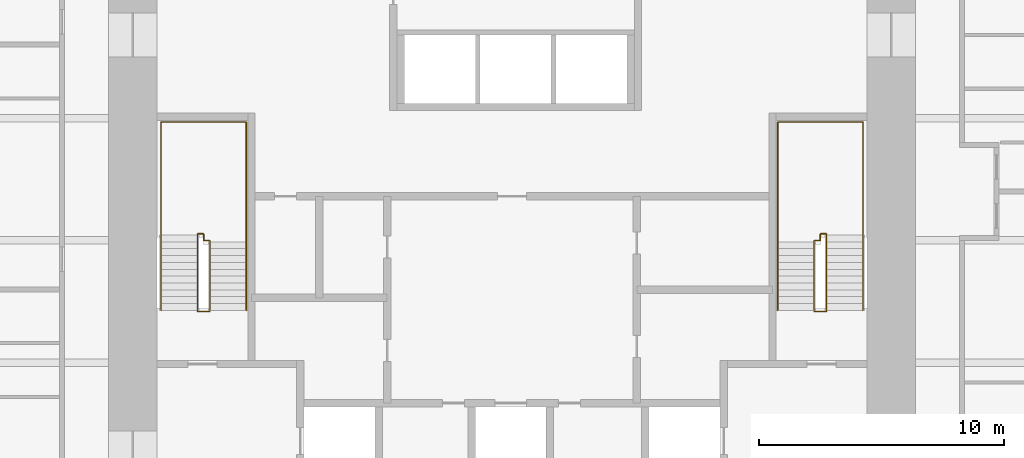
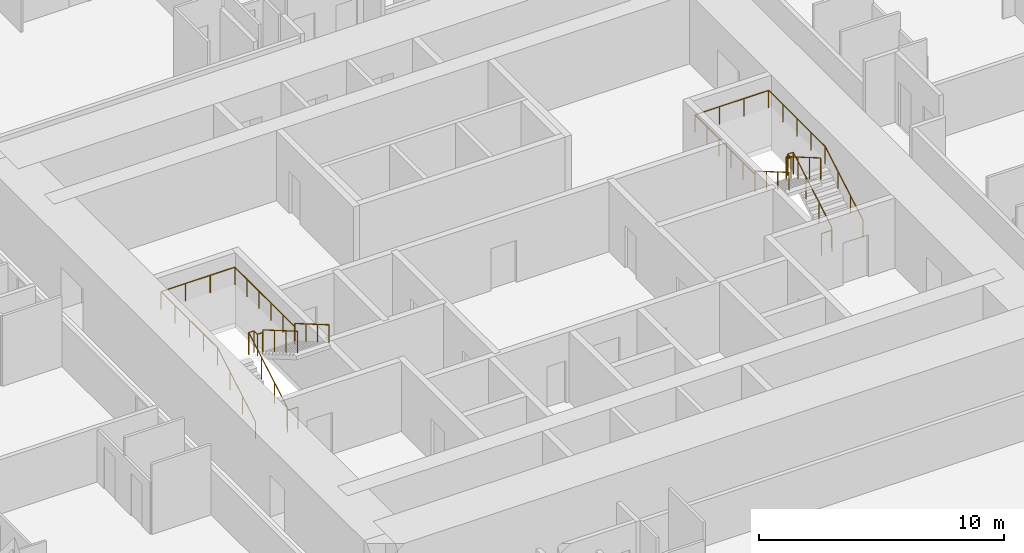
# One storey, part 17 of 17: 4 railings.
"""IFC4 building model written with IfcOpenShell, lengths in metres."""

import ifcopenshell
import ifcopenshell.guid

model = None  # the IFC model being written
_history = None  # IfcOwnerHistory: only IFC2X3 demands one
_inside = {}  # id of a spatial element -> (the spatial element, [elements in it])
_under = {}  # id of a project, library or spatial element -> (it, [spatial elements below it])
_declared = {}  # id of a project -> (the project, [libraries it declares])
_typed = {}  # id of a type object -> (the type object, [elements of that type])
_made_of = {}  # id of a material, layer set ... -> (it, [elements and type objects made of it])


def new_model(schema):
    """Start an empty IFC model of exactly this schema.

    Asked for "IFC4X3", IfcOpenShell would pick the latest addendum, in which some entities
    have other attributes; the version numbers below select the first issue.
    IFC2X3 requires an IfcOwnerHistory on every rooted entity: one is made here for all.
    """
    global model, _history
    if schema == "IFC4X3":
        model = ifcopenshell.file(schema_version=(4, 3, 0, 0))
    else:
        model = ifcopenshell.file(schema=schema)
    _inside.clear()
    _under.clear()
    _declared.clear()
    _typed.clear()
    _made_of.clear()
    _history = None
    if model.schema == "IFC2X3":
        org = make("IfcOrganization", Name="unknown")
        user = make(
            "IfcPersonAndOrganization",
            ThePerson=make("IfcPerson", FamilyName="unknown"),
            TheOrganization=org,
        )
        app = make(
            "IfcApplication",
            ApplicationDeveloper=org,
            Version="unknown",
            ApplicationFullName="unknown",
            ApplicationIdentifier="unknown",
        )
        _history = make(
            "IfcOwnerHistory",
            OwningUser=user,
            OwningApplication=app,
            ChangeAction="ADDED",
            CreationDate=0,
        )
    return model


def make(cls, **values):
    """One entity of the class cls with the attributes given. An attribute that is None is left unset."""
    return model.create_entity(
        cls, **{name: value for name, value in values.items() if value is not None}
    )


def rooted(cls, **values):
    """An entity with a GlobalId (a new one), such as an element, a storey or a relation."""
    return make(cls, GlobalId=ifcopenshell.guid.new(), OwnerHistory=_history, **values)


def si_unit(unit_type, name, prefix=None):
    """IfcSIUnit, for example si_unit("LENGTHUNIT", "METRE", prefix="MILLI")."""
    return make("IfcSIUnit", UnitType=unit_type, Prefix=prefix, Name=name)


def assignment(units):
    """IfcUnitAssignment: the units of a project."""
    return None if units is None else make("IfcUnitAssignment", Units=units)


def point(xyz):
    """IfcCartesianPoint."""
    return None if xyz is None else make("IfcCartesianPoint", Coordinates=xyz)


def direction(xyz):
    """IfcDirection."""
    return None if xyz is None else make("IfcDirection", DirectionRatios=xyz)


def frame(location, z_axis=None, x_axis=None):
    """IfcAxis2Placement3D, a coordinate frame: its origin and axes. An axis left out is left unset."""
    return make(
        "IfcAxis2Placement3D",
        Location=point(location),
        Axis=direction(z_axis),
        RefDirection=direction(x_axis),
    )


def frame_2d(location, x_axis=None):
    """IfcAxis2Placement2D, a coordinate frame in the plane: its origin and x axis."""
    return make(
        "IfcAxis2Placement2D", Location=point(location), RefDirection=direction(x_axis)
    )


def origin():
    """The frame at (0, 0, 0) with its axes left unset."""
    return frame((0.0, 0.0, 0.0))


def origin_2d():
    """The frame at (0, 0) in the plane with its x axis left unset."""
    return frame_2d((0.0, 0.0))


def place(relative_to, where):
    """IfcLocalPlacement: puts the frame where relative to a parent placement (None: the world)."""
    return make(
        "IfcLocalPlacement", PlacementRelTo=relative_to, RelativePlacement=where
    )


def context(
    kind, dimensions, precision=None, world=None, true_north=None, identifier=None
):
    """IfcGeometricRepresentationContext, for example the 3D "Model" context."""
    return make(
        "IfcGeometricRepresentationContext",
        ContextIdentifier=identifier,
        ContextType=kind,
        CoordinateSpaceDimension=dimensions,
        Precision=precision,
        WorldCoordinateSystem=world,
        TrueNorth=true_north,
    )


def subcontext(parent, identifier, kind, view, scale=None):
    """IfcGeometricRepresentationSubContext, for example "Body" below "Model"."""
    return make(
        "IfcGeometricRepresentationSubContext",
        ContextIdentifier=identifier,
        ContextType=kind,
        ParentContext=parent,
        TargetScale=scale,
        TargetView=view,
    )


def project(units=None, contexts=None):
    """IfcProject with its units and contexts."""
    return rooted(
        "IfcProject",
        Name="project",
        RepresentationContexts=contexts,
        UnitsInContext=assignment(units),
    )


def spatial(cls, under=None, at=None, **own):
    """A site, building, storey or space (cls), placed at a placement, below another one or the project."""
    s = rooted(cls, ObjectPlacement=at, **own)
    if under is not None:
        _under.setdefault(under.id(), (under, []))[1].append(s)
    return s


def profile(cls, at=None, kind="AREA", **sizes):
    """A parametric profile (cls). Its sizes go by their IFC names, for example OverallWidth=200.0."""
    return make(cls, ProfileType=kind, Position=at, **sizes)


def circle(**sizes):
    """IfcCircleProfileDef."""
    return profile("IfcCircleProfileDef", **sizes)


def extrude(swept, where, along, depth):
    """IfcExtrudedAreaSolid: the profile swept, set in the frame where, extruded along a direction by depth."""
    return make(
        "IfcExtrudedAreaSolid",
        SweptArea=swept,
        Position=where,
        ExtrudedDirection=direction(along),
        Depth=depth,
    )


def shape(context_of_items, identifier, shape_type, items):
    """IfcShapeRepresentation: the items that make up one representation, for example the "Body"."""
    return make(
        "IfcShapeRepresentation",
        ContextOfItems=context_of_items,
        RepresentationIdentifier=identifier,
        RepresentationType=shape_type,
        Items=items,
    )


def material(Name=None, Category=None):
    """IfcMaterial."""
    return make("IfcMaterial", Name=Name, Category=Category)


def made_of(thing, what):
    """Note that an element or type object is made of a material, layer set ...; save() writes the relation."""
    if what is not None:
        _made_of.setdefault(what.id(), (what, []))[1].append(thing)
    return thing


def type_object(cls, material=None, **own):
    """A type object (cls), such as IfcWallType, which elements share."""
    return made_of(rooted(cls, **own), material)


def element(
    cls,
    number,
    at=None,
    inside=None,
    cuts=None,
    type_object=None,
    material=None,
    context=None,
    identifier="Body",
    shape_type=None,
    held_by="IfcProductDefinitionShape",
    body=None,
    shapes=None,
    **own,
):
    """One element of the class cls, such as IfcWall. Its Tag is "e" and its number.

    at: its placement. inside: the storey or other place that contains it. cuts: it is an
    opening in that element (IfcRelVoidsElement). A single representation is given by context,
    identifier, shape_type and body (its items); several are given by shapes. held_by: the class
    of the entity that holds the representations. save() writes the other relations.
    """
    e = rooted(cls, Tag="e%d" % number, ObjectPlacement=at, **own)
    if body is not None:
        shapes = [shape(context, identifier, shape_type, body)]
    if shapes is not None:
        e.Representation = make(held_by, Representations=shapes)
    if inside is not None:
        _inside.setdefault(inside.id(), (inside, []))[1].append(e)
    if cuts is not None:
        rooted(
            "IfcRelVoidsElement", RelatingBuildingElement=cuts, RelatedOpeningElement=e
        )
    if type_object is not None:
        _typed.setdefault(type_object.id(), (type_object, []))[1].append(e)
    return made_of(e, material)


def aggregate(whole, parts):
    """IfcRelAggregates: a whole, such as a stair, and the parts it consists of."""
    return rooted("IfcRelAggregates", RelatingObject=whole, RelatedObjects=parts)


def save(model, path):
    """Write the relations noted so far, then the file.

    IfcRelAggregates (storeys below a building ...), IfcRelContainedInSpatialStructure (elements
    in a storey), IfcRelDefinesByType, IfcRelAssociatesMaterial and IfcRelDeclares: one each for
    every whole, place, type object, material and project.
    """
    for whole, parts in _under.values():
        aggregate(whole, parts)
    for where, things in _inside.values():
        rooted(
            "IfcRelContainedInSpatialStructure",
            RelatedElements=things,
            RelatingStructure=where,
        )
    for kind, things in _typed.values():
        rooted("IfcRelDefinesByType", RelatedObjects=things, RelatingType=kind)
    for what, things in _made_of.values():
        rooted("IfcRelAssociatesMaterial", RelatedObjects=things, RelatingMaterial=what)
    for by, libraries in _declared.values():
        rooted("IfcRelDeclares", RelatingContext=by, RelatedDefinitions=libraries)
    model.write(path)


model = new_model("IFC4")

# Units and contexts
model_context = context("Model", 3, precision=1e-05, world=origin(), true_north=direction((0.0, 1.0)))
body_context = subcontext(model_context, "Body", "Model", "MODEL_VIEW")
ifc_project = project(units=[si_unit("LENGTHUNIT", "METRE"), si_unit("AREAUNIT", "SQUARE_METRE"), si_unit("VOLUMEUNIT", "CUBIC_METRE"), si_unit("PLANEANGLEUNIT", "RADIAN"), si_unit("MASSUNIT", "GRAM", prefix="KILO")], contexts=[model_context])

# Site, building, storey
site_placement = place(None, origin())
site = spatial("IfcSite", under=ifc_project, at=site_placement, CompositionType="ELEMENT")
building_placement = place(site_placement, origin())
building = spatial("IfcBuilding", under=site, at=building_placement, Name="Khuree Lantern Residences", CompositionType="ELEMENT")
storey_placement = place(building_placement, frame((0.0, 0.0, 43.5)))
storey = spatial("IfcBuildingStorey", under=building, at=storey_placement, Name="L10", CompositionType="ELEMENT", Elevation=43.5)

# Railings
ifc_material = material(Name="Steel S355", Category="steel")
railing_type_1 = type_object("IfcRailingType", Name="STAIR GUARD G1 1100", PredefinedType="GUARDRAIL", material=ifc_material)
railing_1_placement = place(storey_placement, frame((-12.35009765625, -2.909912109375, 0.0)))
element("IfcRailing", 1, at=railing_1_placement, inside=storey, type_object=railing_type_1, Name="Stair ST1 guard", PredefinedType="GUARDRAIL", context=body_context, shape_type="SweptSolid", body=[
    extrude(circle(Radius=0.02392578125, at=origin_2d()), frame((0.0, 0.0, 1.076171875), z_axis=(-1.0, 0.0, 0.0), x_axis=(0.0, -1.0, 0.0)), (0.0, 0.0, 1.0), 0.5),
    extrude(circle(Radius=0.02392578125, at=origin_2d()), frame((-0.5, 0.0, 1.076171875), z_axis=(0.0, 0.292073035251, 0.95639601739), x_axis=(-1.0, 0.0, 0.0)), (0.0, 0.0, 1.0), 0.17041015625),
    extrude(circle(Radius=0.02392578125, at=origin_2d()), frame((-0.5, 0.0498046875, 1.2392578125), z_axis=(0.0, 0.864176135923, 0.503189433615), x_axis=(-1.0, 0.0, 0.0)), (0.0, 0.0, 1.0), 3.564208984375),
    extrude(circle(Radius=0.02392578125, at=origin_2d()), frame((-0.5, 3.1298828125, 3.03271484375), z_axis=(0.0, 1.0, 0.0), x_axis=(-1.0, 0.0, 0.0)), (0.0, 0.0, 1.0), 0.050048828125),
    extrude(circle(Radius=0.02392578125, at=origin_2d()), frame((-0.5, 3.179931640625, 3.03271484375), z_axis=(1.0, 0.0, 0.0), x_axis=(0.0, 1.0, 0.0)), (0.0, 0.0, 1.0), 0.25),
    extrude(circle(Radius=0.02392578125, at=origin_2d()), frame((-0.25, 3.179931640625, 3.03271484375), z_axis=(0.0, -1.0, 0.0), x_axis=(1.0, 0.0, 0.0)), (0.0, 0.0, 1.0), 0.280029296875),
    extrude(circle(Radius=0.02392578125, at=origin_2d()), frame((-0.25, 2.89990234375, 3.03271484375), z_axis=(1.0, 0.0, 0.0), x_axis=(0.0, 1.0, 0.0)), (0.0, 0.0, 1.0), 0.25),
    extrude(circle(Radius=0.02392578125, at=origin_2d()), frame((0.0, 2.89990234375, 3.03271484375), z_axis=(0.0, -0.293381807449, 0.955995353053), x_axis=(1.0, 0.0, 0.0)), (0.0, 0.0, 1.0), 0.170654296875),
    extrude(circle(Radius=0.02392578125, at=origin_2d()), frame((0.0, 2.849853515625, 3.19580078125), z_axis=(0.0, -0.864180358799, 0.503182181189), x_axis=(1.0, 0.0, 0.0)), (0.0, 0.0, 1.0), 3.240234375),
    extrude(circle(Radius=0.02099609375, at=origin_2d()), origin(), (0.0, 0.0, 1.0), 1.052001953125),
    extrude(circle(Radius=0.02099609375, at=origin_2d()), frame((-0.5, 0.0, 0.0)), (0.0, 0.0, 1.0), 1.052001953125),
    extrude(circle(Radius=0.02099609375, at=origin_2d()), frame((-0.5, 0.0498046875, 0.1630859375)), (0.0, 0.0, 1.0), 1.052001953125),
    extrude(circle(Radius=0.02099609375, at=origin_2d()), frame((-0.5, 1.076416015625, 0.760986328125)), (0.0, 0.0, 1.0), 1.052001953125),
    extrude(circle(Radius=0.02099609375, at=origin_2d()), frame((-0.5, 2.103271484375, 1.358642578125)), (0.0, 0.0, 1.0), 1.052001953125),
    extrude(circle(Radius=0.02099609375, at=origin_2d()), frame((-0.5, 3.1298828125, 1.95654296875)), (0.0, 0.0, 1.0), 1.052001953125),
    extrude(circle(Radius=0.02099609375, at=origin_2d()), frame((-0.5, 3.179931640625, 1.95654296875)), (0.0, 0.0, 1.0), 1.052001953125),
    extrude(circle(Radius=0.02099609375, at=origin_2d()), frame((-0.25, 3.179931640625, 1.95654296875)), (0.0, 0.0, 1.0), 1.052001953125),
    extrude(circle(Radius=0.02099609375, at=origin_2d()), frame((-0.25, 2.89990234375, 1.95654296875)), (0.0, 0.0, 1.0), 1.052001953125),
    extrude(circle(Radius=0.02099609375, at=origin_2d()), frame((0.0, 2.89990234375, 1.95654296875)), (0.0, 0.0, 1.0), 1.052001953125),
    extrude(circle(Radius=0.02099609375, at=origin_2d()), frame((0.0, 2.849853515625, 2.11962890625)), (0.0, 0.0, 1.0), 1.052001953125),
    extrude(circle(Radius=0.02099609375, at=origin_2d()), frame((0.0, 1.91650390625, 2.6630859375)), (0.0, 0.0, 1.0), 1.052001953125),
    extrude(circle(Radius=0.02099609375, at=origin_2d()), frame((0.0, 0.983154296875, 3.20654296875)), (0.0, 0.0, 1.0), 1.052001953125),
    extrude(circle(Radius=0.02099609375, at=origin_2d()), frame((0.0, 0.0498046875, 3.75)), (0.0, 0.0, 1.0), 1.052001953125),
])
railing_2_placement = place(storey_placement, frame((12.35009765625, -2.909912109375, 0.0)))
element("IfcRailing", 2, at=railing_2_placement, inside=storey, type_object=railing_type_1, Name="Stair ST2 guard", PredefinedType="GUARDRAIL", context=body_context, shape_type="SweptSolid", body=[
    extrude(circle(Radius=0.02392578125, at=origin_2d()), frame((0.0, 0.0, 1.076171875), z_axis=(1.0, 0.0, 0.0), x_axis=(0.0, 1.0, 0.0)), (0.0, 0.0, 1.0), 0.5),
    extrude(circle(Radius=0.02392578125, at=origin_2d()), frame((0.5, 0.0, 1.076171875), z_axis=(0.0, 0.292073035251, 0.95639601739), x_axis=(-1.0, 0.0, 0.0)), (0.0, 0.0, 1.0), 0.17041015625),
    extrude(circle(Radius=0.02392578125, at=origin_2d()), frame((0.5, 0.0498046875, 1.2392578125), z_axis=(0.0, 0.864176135923, 0.503189433615), x_axis=(-1.0, 0.0, 0.0)), (0.0, 0.0, 1.0), 3.564208984375),
    extrude(circle(Radius=0.02392578125, at=origin_2d()), frame((0.5, 3.1298828125, 3.03271484375), z_axis=(0.0, 1.0, 0.0), x_axis=(-1.0, 0.0, 0.0)), (0.0, 0.0, 1.0), 0.050048828125),
    extrude(circle(Radius=0.02392578125, at=origin_2d()), frame((0.5, 3.179931640625, 3.03271484375), z_axis=(-1.0, 0.0, 0.0), x_axis=(0.0, -1.0, 0.0)), (0.0, 0.0, 1.0), 0.25),
    extrude(circle(Radius=0.02392578125, at=origin_2d()), frame((0.25, 3.179931640625, 3.03271484375), z_axis=(0.0, -1.0, 0.0), x_axis=(1.0, 0.0, 0.0)), (0.0, 0.0, 1.0), 0.280029296875),
    extrude(circle(Radius=0.02392578125, at=origin_2d()), frame((0.25, 2.89990234375, 3.03271484375), z_axis=(-1.0, 0.0, 0.0), x_axis=(0.0, -1.0, 0.0)), (0.0, 0.0, 1.0), 0.25),
    extrude(circle(Radius=0.02392578125, at=origin_2d()), frame((0.0, 2.89990234375, 3.03271484375), z_axis=(0.0, -0.293381807449, 0.955995353053), x_axis=(1.0, 0.0, 0.0)), (0.0, 0.0, 1.0), 0.170654296875),
    extrude(circle(Radius=0.02392578125, at=origin_2d()), frame((0.0, 2.849853515625, 3.19580078125), z_axis=(0.0, -0.864180358799, 0.503182181189), x_axis=(1.0, 0.0, 0.0)), (0.0, 0.0, 1.0), 3.240234375),
    extrude(circle(Radius=0.02099609375, at=origin_2d()), origin(), (0.0, 0.0, 1.0), 1.052001953125),
    extrude(circle(Radius=0.02099609375, at=origin_2d()), frame((0.5, 0.0, 0.0)), (0.0, 0.0, 1.0), 1.052001953125),
    extrude(circle(Radius=0.02099609375, at=origin_2d()), frame((0.5, 0.0498046875, 0.1630859375)), (0.0, 0.0, 1.0), 1.052001953125),
    extrude(circle(Radius=0.02099609375, at=origin_2d()), frame((0.5, 1.076416015625, 0.760986328125)), (0.0, 0.0, 1.0), 1.052001953125),
    extrude(circle(Radius=0.02099609375, at=origin_2d()), frame((0.5, 2.103271484375, 1.358642578125)), (0.0, 0.0, 1.0), 1.052001953125),
    extrude(circle(Radius=0.02099609375, at=origin_2d()), frame((0.5, 3.1298828125, 1.95654296875)), (0.0, 0.0, 1.0), 1.052001953125),
    extrude(circle(Radius=0.02099609375, at=origin_2d()), frame((0.5, 3.179931640625, 1.95654296875)), (0.0, 0.0, 1.0), 1.052001953125),
    extrude(circle(Radius=0.02099609375, at=origin_2d()), frame((0.25, 3.179931640625, 1.95654296875)), (0.0, 0.0, 1.0), 1.052001953125),
    extrude(circle(Radius=0.02099609375, at=origin_2d()), frame((0.25, 2.89990234375, 1.95654296875)), (0.0, 0.0, 1.0), 1.052001953125),
    extrude(circle(Radius=0.02099609375, at=origin_2d()), frame((0.0, 2.89990234375, 1.95654296875)), (0.0, 0.0, 1.0), 1.052001953125),
    extrude(circle(Radius=0.02099609375, at=origin_2d()), frame((0.0, 2.849853515625, 2.11962890625)), (0.0, 0.0, 1.0), 1.052001953125),
    extrude(circle(Radius=0.02099609375, at=origin_2d()), frame((0.0, 1.91650390625, 2.6630859375)), (0.0, 0.0, 1.0), 1.052001953125),
    extrude(circle(Radius=0.02099609375, at=origin_2d()), frame((0.0, 0.983154296875, 3.20654296875)), (0.0, 0.0, 1.0), 1.052001953125),
    extrude(circle(Radius=0.02099609375, at=origin_2d()), frame((0.0, 0.0498046875, 3.75)), (0.0, 0.0, 1.0), 1.052001953125),
])
railing_type_2 = type_object("IfcRailingType", Name="STAIR HANDRAIL H1 900", PredefinedType="HANDRAIL", material=ifc_material)
railing_3_placement = place(storey_placement, frame((-14.340087890625, -2.860107421875, 0.1630859375)))
element("IfcRailing", 3, at=railing_3_placement, inside=storey, type_object=railing_type_2, Name="Stair ST1 handrail", PredefinedType="HANDRAIL", context=body_context, shape_type="SweptSolid", body=[
    extrude(circle(Radius=0.02392578125, at=origin_2d()), frame((0.0, 0.0, 0.8759765625), z_axis=(0.0, 0.864176135923, 0.503189433615), x_axis=(-1.0, 0.0, 0.0)), (0.0, 0.0, 1.0), 3.564208984375),
    extrude(circle(Radius=0.02392578125, at=origin_2d()), frame((0.0, 3.080078125, 2.66943359375), z_axis=(0.0, 1.0, 0.0), x_axis=(-1.0, 0.0, 0.0)), (0.0, 0.0, 1.0), 4.6201171875),
    extrude(circle(Radius=0.02392578125, at=origin_2d()), frame((0.0, 7.7001953125, 2.66943359375), z_axis=(1.0, 0.0, 0.0), x_axis=(0.0, 1.0, 0.0)), (0.0, 0.0, 1.0), 3.47998046875),
    extrude(circle(Radius=0.02392578125, at=origin_2d()), frame((3.47998046875, 7.7001953125, 2.66943359375), z_axis=(0.0, -1.0, 0.0), x_axis=(1.0, 0.0, 0.0)), (0.0, 0.0, 1.0), 4.900146484375),
    extrude(circle(Radius=0.02392578125, at=origin_2d()), frame((3.47998046875, 2.800048828125, 2.66943359375), z_axis=(0.0, 0.0, 1.0), x_axis=(1.0, 0.0, 0.0)), (0.0, 0.0, 1.0), 0.1630859375),
    extrude(circle(Radius=0.02392578125, at=origin_2d()), frame((3.47998046875, 2.800048828125, 2.83251953125), z_axis=(0.0, -0.864180358799, 0.503182181189), x_axis=(1.0, 0.0, 0.0)), (0.0, 0.0, 1.0), 3.240234375),
    extrude(circle(Radius=0.02099609375, at=origin_2d()), origin(), (0.0, 0.0, 1.0), 0.851806640625),
    extrude(circle(Radius=0.02099609375, at=origin_2d()), frame((0.0, 1.026611328125, 0.597900390625)), (0.0, 0.0, 1.0), 0.851806640625),
    extrude(circle(Radius=0.02099609375, at=origin_2d()), frame((0.0, 2.053466796875, 1.195556640625)), (0.0, 0.0, 1.0), 0.851806640625),
    extrude(circle(Radius=0.02099609375, at=origin_2d()), frame((0.0, 3.080078125, 1.79345703125)), (0.0, 0.0, 1.0), 0.851806640625),
    extrude(circle(Radius=0.02099609375, at=origin_2d()), frame((0.0, 4.235107421875, 1.79345703125)), (0.0, 0.0, 1.0), 0.851806640625),
    extrude(circle(Radius=0.02099609375, at=origin_2d()), frame((0.0, 5.39013671875, 1.79345703125)), (0.0, 0.0, 1.0), 0.851806640625),
    extrude(circle(Radius=0.02099609375, at=origin_2d()), frame((0.0, 6.545166015625, 1.79345703125)), (0.0, 0.0, 1.0), 0.851806640625),
    extrude(circle(Radius=0.02099609375, at=origin_2d()), frame((0.0, 7.7001953125, 1.79345703125)), (0.0, 0.0, 1.0), 0.851806640625),
    extrude(circle(Radius=0.02099609375, at=origin_2d()), frame((1.159912109375, 7.7001953125, 1.79345703125)), (0.0, 0.0, 1.0), 0.851806640625),
    extrude(circle(Radius=0.02099609375, at=origin_2d()), frame((2.320068359375, 7.7001953125, 1.79345703125)), (0.0, 0.0, 1.0), 0.851806640625),
    extrude(circle(Radius=0.02099609375, at=origin_2d()), frame((3.47998046875, 7.7001953125, 1.79345703125)), (0.0, 0.0, 1.0), 0.851806640625),
    extrude(circle(Radius=0.02099609375, at=origin_2d()), frame((3.47998046875, 6.72021484375, 1.79345703125)), (0.0, 0.0, 1.0), 0.851806640625),
    extrude(circle(Radius=0.02099609375, at=origin_2d()), frame((3.47998046875, 5.740234375, 1.79345703125)), (0.0, 0.0, 1.0), 0.851806640625),
    extrude(circle(Radius=0.02099609375, at=origin_2d()), frame((3.47998046875, 4.760009765625, 1.79345703125)), (0.0, 0.0, 1.0), 0.851806640625),
    extrude(circle(Radius=0.02099609375, at=origin_2d()), frame((3.47998046875, 3.780029296875, 1.79345703125)), (0.0, 0.0, 1.0), 0.851806640625),
    extrude(circle(Radius=0.02099609375, at=origin_2d()), frame((3.47998046875, 2.800048828125, 1.79345703125)), (0.0, 0.0, 1.0), 0.851806640625),
    extrude(circle(Radius=0.02099609375, at=origin_2d()), frame((3.47998046875, 2.800048828125, 1.95654296875)), (0.0, 0.0, 1.0), 0.851806640625),
    extrude(circle(Radius=0.02099609375, at=origin_2d()), frame((3.47998046875, 1.86669921875, 2.5)), (0.0, 0.0, 1.0), 0.851806640625),
    extrude(circle(Radius=0.02099609375, at=origin_2d()), frame((3.47998046875, 0.933349609375, 3.04345703125)), (0.0, 0.0, 1.0), 0.851806640625),
    extrude(circle(Radius=0.02099609375, at=origin_2d()), frame((3.47998046875, 0.0, 3.5869140625)), (0.0, 0.0, 1.0), 0.851806640625),
])
railing_4_placement = place(storey_placement, frame((14.340087890625, -2.860107421875, 0.1630859375)))
element("IfcRailing", 4, at=railing_4_placement, inside=storey, type_object=railing_type_2, Name="Stair ST2 handrail", PredefinedType="HANDRAIL", context=body_context, shape_type="SweptSolid", body=[
    extrude(circle(Radius=0.02392578125, at=origin_2d()), frame((0.0, 0.0, 0.8759765625), z_axis=(0.0, 0.864176135923, 0.503189433615), x_axis=(-1.0, 0.0, 0.0)), (0.0, 0.0, 1.0), 3.564208984375),
    extrude(circle(Radius=0.02392578125, at=origin_2d()), frame((0.0, 3.080078125, 2.66943359375), z_axis=(0.0, 1.0, 0.0), x_axis=(-1.0, 0.0, 0.0)), (0.0, 0.0, 1.0), 4.6201171875),
    extrude(circle(Radius=0.02392578125, at=origin_2d()), frame((0.0, 7.7001953125, 2.66943359375), z_axis=(-1.0, 0.0, 0.0), x_axis=(0.0, -1.0, 0.0)), (0.0, 0.0, 1.0), 3.47998046875),
    extrude(circle(Radius=0.02392578125, at=origin_2d()), frame((-3.47998046875, 7.7001953125, 2.66943359375), z_axis=(0.0, -1.0, 0.0), x_axis=(1.0, 0.0, 0.0)), (0.0, 0.0, 1.0), 4.900146484375),
    extrude(circle(Radius=0.02392578125, at=origin_2d()), frame((-3.47998046875, 2.800048828125, 2.66943359375), z_axis=(0.0, 0.0, 1.0), x_axis=(1.0, 0.0, 0.0)), (0.0, 0.0, 1.0), 0.1630859375),
    extrude(circle(Radius=0.02392578125, at=origin_2d()), frame((-3.47998046875, 2.800048828125, 2.83251953125), z_axis=(0.0, -0.864180358799, 0.503182181189), x_axis=(1.0, 0.0, 0.0)), (0.0, 0.0, 1.0), 3.240234375),
    extrude(circle(Radius=0.02099609375, at=origin_2d()), origin(), (0.0, 0.0, 1.0), 0.851806640625),
    extrude(circle(Radius=0.02099609375, at=origin_2d()), frame((0.0, 1.026611328125, 0.597900390625)), (0.0, 0.0, 1.0), 0.851806640625),
    extrude(circle(Radius=0.02099609375, at=origin_2d()), frame((0.0, 2.053466796875, 1.195556640625)), (0.0, 0.0, 1.0), 0.851806640625),
    extrude(circle(Radius=0.02099609375, at=origin_2d()), frame((0.0, 3.080078125, 1.79345703125)), (0.0, 0.0, 1.0), 0.851806640625),
    extrude(circle(Radius=0.02099609375, at=origin_2d()), frame((0.0, 4.235107421875, 1.79345703125)), (0.0, 0.0, 1.0), 0.851806640625),
    extrude(circle(Radius=0.02099609375, at=origin_2d()), frame((0.0, 5.39013671875, 1.79345703125)), (0.0, 0.0, 1.0), 0.851806640625),
    extrude(circle(Radius=0.02099609375, at=origin_2d()), frame((0.0, 6.545166015625, 1.79345703125)), (0.0, 0.0, 1.0), 0.851806640625),
    extrude(circle(Radius=0.02099609375, at=origin_2d()), frame((0.0, 7.7001953125, 1.79345703125)), (0.0, 0.0, 1.0), 0.851806640625),
    extrude(circle(Radius=0.02099609375, at=origin_2d()), frame((-1.159912109375, 7.7001953125, 1.79345703125)), (0.0, 0.0, 1.0), 0.851806640625),
    extrude(circle(Radius=0.02099609375, at=origin_2d()), frame((-2.320068359375, 7.7001953125, 1.79345703125)), (0.0, 0.0, 1.0), 0.851806640625),
    extrude(circle(Radius=0.02099609375, at=origin_2d()), frame((-3.47998046875, 7.7001953125, 1.79345703125)), (0.0, 0.0, 1.0), 0.851806640625),
    extrude(circle(Radius=0.02099609375, at=origin_2d()), frame((-3.47998046875, 6.72021484375, 1.79345703125)), (0.0, 0.0, 1.0), 0.851806640625),
    extrude(circle(Radius=0.02099609375, at=origin_2d()), frame((-3.47998046875, 5.740234375, 1.79345703125)), (0.0, 0.0, 1.0), 0.851806640625),
    extrude(circle(Radius=0.02099609375, at=origin_2d()), frame((-3.47998046875, 4.760009765625, 1.79345703125)), (0.0, 0.0, 1.0), 0.851806640625),
    extrude(circle(Radius=0.02099609375, at=origin_2d()), frame((-3.47998046875, 3.780029296875, 1.79345703125)), (0.0, 0.0, 1.0), 0.851806640625),
    extrude(circle(Radius=0.02099609375, at=origin_2d()), frame((-3.47998046875, 2.800048828125, 1.79345703125)), (0.0, 0.0, 1.0), 0.851806640625),
    extrude(circle(Radius=0.02099609375, at=origin_2d()), frame((-3.47998046875, 2.800048828125, 1.95654296875)), (0.0, 0.0, 1.0), 0.851806640625),
    extrude(circle(Radius=0.02099609375, at=origin_2d()), frame((-3.47998046875, 1.86669921875, 2.5)), (0.0, 0.0, 1.0), 0.851806640625),
    extrude(circle(Radius=0.02099609375, at=origin_2d()), frame((-3.47998046875, 0.933349609375, 3.04345703125)), (0.0, 0.0, 1.0), 0.851806640625),
    extrude(circle(Radius=0.02099609375, at=origin_2d()), frame((-3.47998046875, 0.0, 3.5869140625)), (0.0, 0.0, 1.0), 0.851806640625),
])

save(model, "model.ifc")
